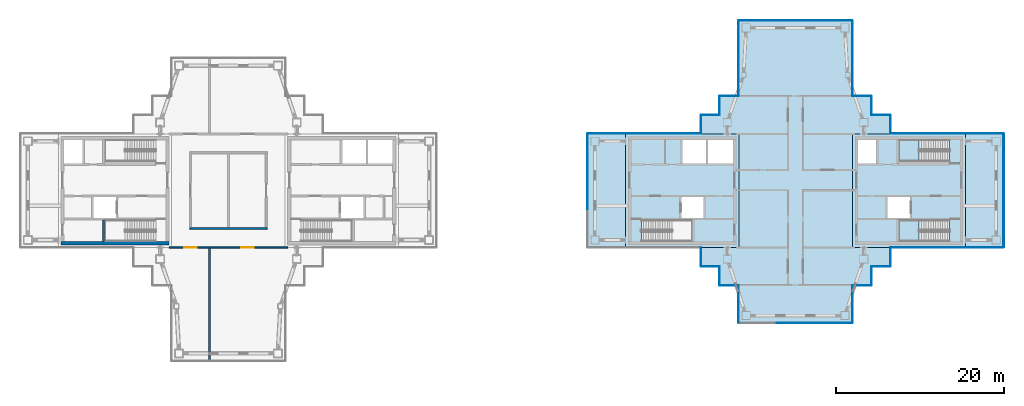
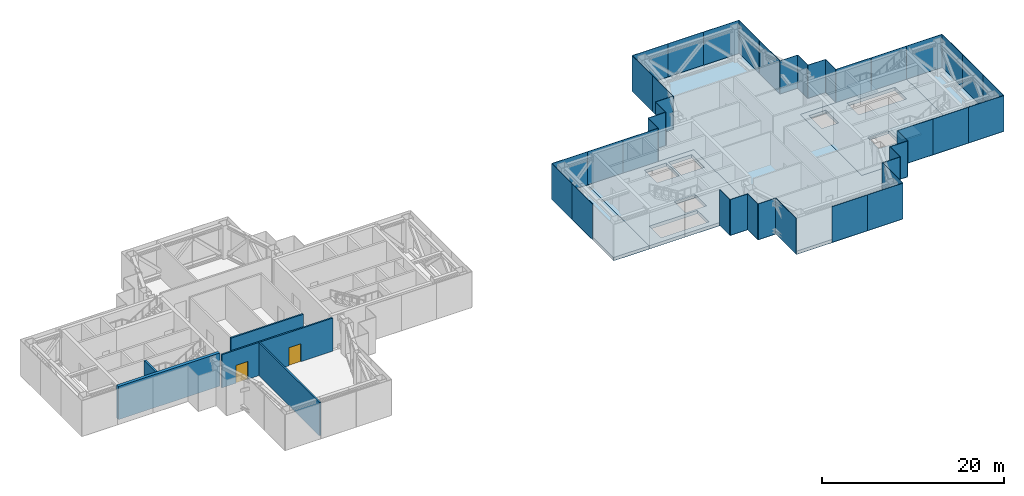
# One storey, part 6 of 18: 41 plates, 7 slabs, 5 walls, 2 doors, 2 openings, 20 elements without a shape of their own.
"""IFC4 building model written with IfcOpenShell, lengths in metres."""

from ifc_helpers import new_model, si_unit, direction, frame, frame_2d, origin, origin_2d, place, context, subcontext, project, spatial, polyline, rectangle, outline, extrude, material, layer, layer_set, type_object, element, fill, aggregate, save


model = new_model("IFC4")

# Units and contexts
model_context = context("Model", 3, precision=1e-05, world=origin(), true_north=direction((0.0, 1.0)))
body_context = subcontext(model_context, "Body", "Model", "MODEL_VIEW")
ifc_project = project(units=[si_unit("LENGTHUNIT", "METRE"), si_unit("AREAUNIT", "SQUARE_METRE"), si_unit("VOLUMEUNIT", "CUBIC_METRE"), si_unit("PLANEANGLEUNIT", "RADIAN"), si_unit("MASSUNIT", "GRAM", prefix="KILO")], contexts=[model_context])

# Site, building, storey
site_placement = place(None, origin())
site = spatial("IfcSite", under=ifc_project, at=site_placement, CompositionType="ELEMENT")
building_placement = place(site_placement, origin())
building = spatial("IfcBuilding", under=site, at=building_placement, Name="Shamsa Quay Exchange Towers", CompositionType="ELEMENT")
storey_placement = place(building_placement, frame((0.0, 0.0, 225.60009765625)))
storey = spatial("IfcBuildingStorey", under=building, at=storey_placement, Name="L54", CompositionType="ELEMENT", Elevation=225.60009765625)

# Slabs
ifc_material_1 = material(Name="Concrete C50/60", Category="concrete")
ifc_layer_1 = layer(ifc_material_1, 0.449951171875)
ifc_layer_set_1 = layer_set([ifc_layer_1], Name="CORE FLOOR 450 C50/60")
slab_type_1 = type_object("IfcSlabType", Name="CORE FLOOR 450 C50/60", PredefinedType="FLOOR", material=ifc_layer_set_1)
slab_1_placement = place(storey_placement, frame((0.0, 0.0, -0.4501953125)))
element("IfcSlab", 1, at=slab_1_placement, inside=storey, type_object=slab_type_1, Name="Core floor T2A", PredefinedType="FLOOR", context=body_context, shape_type="SweptSolid", body=[
    extrude(outline(polyline([(13.5, -6.75), (27.0, -6.75), (27.0, 6.75), (13.5, 6.75), (13.5, -6.75)]), holes=[polyline([(15.400634765625, -6.050048828125), (15.400634765625, -3.5), (21.5, -3.5), (21.5, -6.050048828125), (15.400634765625, -6.050048828125)]), polyline([(20.300048828125, 3.25), (20.300048828125, 6.050048828125), (23.10009765625, 6.050048828125), (23.10009765625, 3.25), (20.300048828125, 3.25)]), polyline([(23.35009765625, 3.25), (23.35009765625, 6.050048828125), (26.300048828125, 6.050048828125), (26.300048828125, 3.25), (23.35009765625, 3.25)]), polyline([(20.14990234375, -3.25), (20.14990234375, -0.75), (22.800048828125, -0.75), (22.800048828125, -3.25), (20.14990234375, -3.25)])]), origin(), (0.0, 0.0, 1.0), 0.4501953125),
])
slab_2_placement = place(storey_placement, frame((0.0, 0.0, -0.4501953125)))
element("IfcSlab", 2, at=slab_2_placement, inside=storey, type_object=slab_type_1, Name="Core floor T2B", PredefinedType="FLOOR", context=body_context, shape_type="SweptSolid", body=[
    extrude(outline(polyline([(54.0, -6.75), (54.0, 6.75), (40.5, 6.75), (40.5, -6.75), (54.0, -6.75)]), holes=[polyline([(52.099365234375, -3.5), (52.099365234375, -6.050048828125), (46.0, -6.050048828125), (46.0, -3.5), (52.099365234375, -3.5)]), polyline([(52.099365234375, 6.050048828125), (52.099365234375, 3.5), (46.0, 3.5), (46.0, 6.050048828125), (52.099365234375, 6.050048828125)]), polyline([(43.35009765625, 3.25), (41.199951171875, 3.25), (41.199951171875, 6.050048828125), (43.35009765625, 6.050048828125), (43.35009765625, 3.25)]), polyline([(47.35009765625, -3.25), (44.699951171875, -3.25), (44.699951171875, -0.75), (47.35009765625, -0.75), (47.35009765625, -3.25)])]), origin(), (0.0, 0.0, 1.0), 0.4501953125),
])

# Stair, slab
ifc_material_2 = material(Name="Concrete C40/50", Category="concrete")
stair_type = type_object("IfcStairType", Name="EXIT STAIR 28 RISERS 171 MM", PredefinedType="HALF_TURN_STAIR", material=ifc_material_2)
stair_1_placement = place(storey_placement, origin())
stair_1 = element("IfcStair", 3, at=stair_1_placement, inside=storey, type_object=stair_type, Name="L54 Exit stair ST5", PredefinedType="HALF_TURN_STAIR")
ifc_layer_2 = layer(ifc_material_2, 0.199951171875)
ifc_layer_set_2 = layer_set([ifc_layer_2], Name="CORE STAIR LANDING")
slab_type_2 = type_object("IfcSlabType", Name="CORE STAIR LANDING", PredefinedType="LANDING", material=ifc_layer_set_2)
slab_3_placement = place(storey_placement, frame((0.0, 0.0, 2.199951171875)))
slab_3 = element("IfcSlab", 4, at=slab_3_placement, type_object=slab_type_2, Name="ST5 landing 1", PredefinedType="LANDING", context=body_context, shape_type="SweptSolid", body=[
    extrude(outline(polyline([(48.4599609375, -3.5), (46.0, -3.5), (46.0, -6.050048828125), (48.4599609375, -6.050048828125), (48.4599609375, -3.5)])), origin(), (0.0, 0.0, 1.0), 0.199951171875),
])
aggregate(stair_1, [slab_3])

stair_2_placement = place(storey_placement, origin())
stair_2 = element("IfcStair", 5, at=stair_2_placement, inside=storey, type_object=stair_type, Name="L54 Exit stair ST6", PredefinedType="HALF_TURN_STAIR")
slab_4_placement = place(storey_placement, frame((0.0, 0.0, 2.199951171875)))
slab_4 = element("IfcSlab", 6, at=slab_4_placement, type_object=slab_type_2, Name="ST6 landing 1", PredefinedType="LANDING", context=body_context, shape_type="SweptSolid", body=[
    extrude(outline(polyline([(48.4599609375, 6.050048828125), (46.0, 6.050048828125), (46.0, 3.5), (48.4599609375, 3.5), (48.4599609375, 6.050048828125)])), origin(), (0.0, 0.0, 1.0), 0.199951171875),
])
aggregate(stair_2, [slab_4])

# Curtain wall, plates
ifc_material_3 = material(Name="Aluminium EN AW-6063 T6, black anodised", Category="aluminium")
ifc_layer_3 = layer(ifc_material_3, 0.320068359375)
ifc_layer_set_3 = layer_set([ifc_layer_3], Name="CW-7 BELT-LEVEL LOUVRE PANEL WALL")
curtain_wall_type = type_object("IfcCurtainWallType", Name="CW-7 BELT-LEVEL LOUVRE PANEL WALL", PredefinedType="NOTDEFINED", material=ifc_layer_set_3)
curtain_wall_1_placement = place(storey_placement, origin())
curtain_wall_1 = element("IfcCurtainWall", 7, at=curtain_wall_1_placement, inside=storey, type_object=curtain_wall_type, Name="CW7 T2-FLK-V-W L54", PredefinedType="NOTDEFINED")
ifc_material_4 = material(Name="Aluminium louvre panel, black anodised, with insulated fire-rated backing", Category="aluminium")
ifc_layer_4 = layer(ifc_material_4, 0.06005859375)
ifc_layer_set_4 = layer_set([ifc_layer_4], Name="CW-7 LOUVRE PANEL 60")
plate_type = type_object("IfcPlateType", Name="CW-7 LOUVRE PANEL 60", PredefinedType="CURTAIN_PANEL", material=ifc_layer_set_4)
plate_1_placement = place(storey_placement, frame((47.2939453125, -6.780029296875, -0.35009765625)))
plate_1 = element("IfcPlate", 8, at=plate_1_placement, type_object=plate_type, Name="CW7 glass panel", PredefinedType="CURTAIN_PANEL", context=body_context, shape_type="SweptSolid", body=[
    extrude(rectangle(XDim=4.464111328125, YDim=0.06005859375, at=origin_2d()), origin(), (0.0, 0.0, 1.0), 4.800048828125),
])
plate_2_placement = place(storey_placement, frame((51.76806640625, -6.780029296875, -0.35009765625)))
plate_2 = element("IfcPlate", 9, at=plate_2_placement, type_object=plate_type, Name="CW7 glass panel", PredefinedType="CURTAIN_PANEL", context=body_context, shape_type="SweptSolid", body=[
    extrude(rectangle(XDim=4.464111328125, YDim=0.06005859375, at=origin_2d()), origin(), (0.0, 0.0, 1.0), 4.800048828125),
])
aggregate(curtain_wall_1, [plate_1, plate_2])

# Curtain wall, plate
curtain_wall_2_placement = place(storey_placement, origin())
curtain_wall_2 = element("IfcCurtainWall", 10, at=curtain_wall_2_placement, inside=storey, type_object=curtain_wall_type, Name="CW7 T2-FLK-V-W L54", PredefinedType="NOTDEFINED")
plate_3_placement = place(storey_placement, frame((56.25, -6.780029296875, -0.35009765625)))
plate_3 = element("IfcPlate", 11, at=plate_3_placement, type_object=plate_type, Name="CW7 glass panel", PredefinedType="CURTAIN_PANEL", context=body_context, shape_type="SweptSolid", body=[
    extrude(rectangle(XDim=4.5, YDim=0.06005859375, at=origin_2d()), origin(), (0.0, 0.0, 1.0), 4.800048828125),
])
aggregate(curtain_wall_2, [plate_3])

# Curtain wall, plates
curtain_wall_3_placement = place(storey_placement, origin())
curtain_wall_3 = element("IfcCurtainWall", 12, at=curtain_wall_3_placement, inside=storey, type_object=curtain_wall_type, Name="CW7 T2-END-V- L54", PredefinedType="NOTDEFINED")
plate_4_placement = place(storey_placement, frame((58.530029296875, -4.50244140625, -0.35009765625), z_axis=(0.0, 0.0, 1.0), x_axis=(0.0, 1.0, 0.0)))
plate_4 = element("IfcPlate", 13, at=plate_4_placement, type_object=plate_type, Name="CW7 glass panel", PredefinedType="CURTAIN_PANEL", context=body_context, shape_type="SweptSolid", body=[
    extrude(rectangle(XDim=4.4951171875, YDim=0.06005859375, at=origin_2d()), origin(), (0.0, 0.0, 1.0), 4.800048828125),
])
plate_5_placement = place(storey_placement, frame((58.530029296875, 0.0, -0.35009765625), z_axis=(0.0, 0.0, 1.0), x_axis=(0.0, 1.0, 0.0)))
plate_5 = element("IfcPlate", 14, at=plate_5_placement, type_object=plate_type, Name="CW7 glass panel", PredefinedType="CURTAIN_PANEL", context=body_context, shape_type="SweptSolid", body=[
    extrude(rectangle(XDim=4.489990234375, YDim=0.06005859375, at=origin_2d()), origin(), (0.0, 0.0, 1.0), 4.800048828125),
])
plate_6_placement = place(storey_placement, frame((58.530029296875, 4.50244140625, -0.35009765625), z_axis=(0.0, 0.0, 1.0), x_axis=(0.0, 1.0, 0.0)))
plate_6 = element("IfcPlate", 15, at=plate_6_placement, type_object=plate_type, Name="CW7 glass panel", PredefinedType="CURTAIN_PANEL", context=body_context, shape_type="SweptSolid", body=[
    extrude(rectangle(XDim=4.4951171875, YDim=0.06005859375, at=origin_2d()), origin(), (0.0, 0.0, 1.0), 4.800048828125),
])
aggregate(curtain_wall_3, [plate_4, plate_5, plate_6])

# Curtain wall, plate
curtain_wall_4_placement = place(storey_placement, origin())
curtain_wall_4 = element("IfcCurtainWall", 16, at=curtain_wall_4_placement, inside=storey, type_object=curtain_wall_type, Name="CW7 T2-FLK-V-E L54", PredefinedType="NOTDEFINED")
plate_7_placement = place(storey_placement, frame((56.25, 6.780029296875, -0.35009765625), z_axis=(0.0, 0.0, 1.0), x_axis=(-1.0, 0.0, 0.0)))
plate_7 = element("IfcPlate", 17, at=plate_7_placement, type_object=plate_type, Name="CW7 glass panel", PredefinedType="CURTAIN_PANEL", context=body_context, shape_type="SweptSolid", body=[
    extrude(rectangle(XDim=4.5, YDim=0.06005859375, at=origin_2d()), origin(), (0.0, 0.0, 1.0), 4.800048828125),
])
aggregate(curtain_wall_4, [plate_7])

# Curtain wall, plates
curtain_wall_5_placement = place(storey_placement, origin())
curtain_wall_5 = element("IfcCurtainWall", 18, at=curtain_wall_5_placement, inside=storey, type_object=curtain_wall_type, Name="CW7 T2-FLK-V-E L54", PredefinedType="NOTDEFINED")
plate_8_placement = place(storey_placement, frame((51.75244140625, 6.780029296875, -0.35009765625), z_axis=(0.0, 0.0, 1.0), x_axis=(-1.0, 0.0, 0.0)))
plate_8 = element("IfcPlate", 19, at=plate_8_placement, type_object=plate_type, Name="CW7 glass panel", PredefinedType="CURTAIN_PANEL", context=body_context, shape_type="SweptSolid", body=[
    extrude(rectangle(XDim=4.4951171875, YDim=0.06005859375, at=origin_2d()), origin(), (0.0, 0.0, 1.0), 4.800048828125),
])
plate_9_placement = place(storey_placement, frame((47.24755859375, 6.780029296875, -0.35009765625), z_axis=(0.0, 0.0, 1.0), x_axis=(-1.0, 0.0, 0.0)))
plate_9 = element("IfcPlate", 20, at=plate_9_placement, type_object=plate_type, Name="CW7 glass panel", PredefinedType="CURTAIN_PANEL", context=body_context, shape_type="SweptSolid", body=[
    extrude(rectangle(XDim=4.4951171875, YDim=0.06005859375, at=origin_2d()), origin(), (0.0, 0.0, 1.0), 4.800048828125),
])
aggregate(curtain_wall_5, [plate_8, plate_9])

curtain_wall_6_placement = place(storey_placement, origin())
curtain_wall_6 = element("IfcCurtainWall", 21, at=curtain_wall_6_placement, inside=storey, type_object=curtain_wall_type, Name="CW7 T2-FLK-U+S L54", PredefinedType="NOTDEFINED")
plate_10_placement = place(storey_placement, frame((40.530029296875, 13.5439453125, -0.35009765625), z_axis=(0.0, 0.0, 1.0), x_axis=(0.0, 1.0, 0.0)))
plate_10 = element("IfcPlate", 22, at=plate_10_placement, type_object=plate_type, Name="CW7 glass panel", PredefinedType="CURTAIN_PANEL", context=body_context, shape_type="SweptSolid", body=[
    extrude(rectangle(XDim=4.464111328125, YDim=0.06005859375, at=origin_2d()), origin(), (0.0, 0.0, 1.0), 4.800048828125),
])
plate_11_placement = place(storey_placement, frame((40.530029296875, 18.01806640625, -0.35009765625), z_axis=(0.0, 0.0, 1.0), x_axis=(0.0, 1.0, 0.0)))
plate_11 = element("IfcPlate", 23, at=plate_11_placement, type_object=plate_type, Name="CW7 glass panel", PredefinedType="CURTAIN_PANEL", context=body_context, shape_type="SweptSolid", body=[
    extrude(rectangle(XDim=4.464111328125, YDim=0.06005859375, at=origin_2d()), origin(), (0.0, 0.0, 1.0), 4.800048828125),
])
aggregate(curtain_wall_6, [plate_10, plate_11])

curtain_wall_7_placement = place(storey_placement, origin())
curtain_wall_7 = element("IfcCurtainWall", 24, at=curtain_wall_7_placement, inside=storey, type_object=curtain_wall_type, Name="CW7 T2-END-U+ L54", PredefinedType="NOTDEFINED")
plate_12_placement = place(storey_placement, frame((38.25244140625, 20.280029296875, -0.35009765625), z_axis=(0.0, 0.0, 1.0), x_axis=(-1.0, 0.0, 0.0)))
plate_12 = element("IfcPlate", 25, at=plate_12_placement, type_object=plate_type, Name="CW7 glass panel", PredefinedType="CURTAIN_PANEL", context=body_context, shape_type="SweptSolid", body=[
    extrude(rectangle(XDim=4.4951171875, YDim=0.06005859375, at=origin_2d()), origin(), (0.0, 0.0, 1.0), 4.800048828125),
])
plate_13_placement = place(storey_placement, frame((33.75, 20.280029296875, -0.35009765625), z_axis=(0.0, 0.0, 1.0), x_axis=(-1.0, 0.0, 0.0)))
plate_13 = element("IfcPlate", 26, at=plate_13_placement, type_object=plate_type, Name="CW7 glass panel", PredefinedType="CURTAIN_PANEL", context=body_context, shape_type="SweptSolid", body=[
    extrude(rectangle(XDim=4.489990234375, YDim=0.06005859375, at=origin_2d()), origin(), (0.0, 0.0, 1.0), 4.800048828125),
])
plate_14_placement = place(storey_placement, frame((29.24755859375, 20.280029296875, -0.35009765625), z_axis=(0.0, 0.0, 1.0), x_axis=(-1.0, 0.0, 0.0)))
plate_14 = element("IfcPlate", 27, at=plate_14_placement, type_object=plate_type, Name="CW7 glass panel", PredefinedType="CURTAIN_PANEL", context=body_context, shape_type="SweptSolid", body=[
    extrude(rectangle(XDim=4.4951171875, YDim=0.06005859375, at=origin_2d()), origin(), (0.0, 0.0, 1.0), 4.800048828125),
])
aggregate(curtain_wall_7, [plate_12, plate_13, plate_14])

curtain_wall_8_placement = place(storey_placement, origin())
curtain_wall_8 = element("IfcCurtainWall", 28, at=curtain_wall_8_placement, inside=storey, type_object=curtain_wall_type, Name="CW7 T2-FLK-U+N L54", PredefinedType="NOTDEFINED")
plate_15_placement = place(storey_placement, frame((26.969970703125, 18.00244140625, -0.35009765625), z_axis=(0.0, 0.0, 1.0), x_axis=(0.0, -1.0, 0.0)))
plate_15 = element("IfcPlate", 29, at=plate_15_placement, type_object=plate_type, Name="CW7 glass panel", PredefinedType="CURTAIN_PANEL", context=body_context, shape_type="SweptSolid", body=[
    extrude(rectangle(XDim=4.4951171875, YDim=0.06005859375, at=origin_2d()), origin(), (0.0, 0.0, 1.0), 4.800048828125),
])
plate_16_placement = place(storey_placement, frame((26.969970703125, 13.49755859375, -0.35009765625), z_axis=(0.0, 0.0, 1.0), x_axis=(0.0, -1.0, 0.0)))
plate_16 = element("IfcPlate", 30, at=plate_16_placement, type_object=plate_type, Name="CW7 glass panel", PredefinedType="CURTAIN_PANEL", context=body_context, shape_type="SweptSolid", body=[
    extrude(rectangle(XDim=4.4951171875, YDim=0.06005859375, at=origin_2d()), origin(), (0.0, 0.0, 1.0), 4.800048828125),
])
aggregate(curtain_wall_8, [plate_15, plate_16])

curtain_wall_9_placement = place(storey_placement, origin())
curtain_wall_9 = element("IfcCurtainWall", 31, at=curtain_wall_9_placement, inside=storey, type_object=curtain_wall_type, Name="CW7 T2-FLK-V+E L54", PredefinedType="NOTDEFINED")
plate_17_placement = place(storey_placement, frame((20.2060546875, 6.780029296875, -0.35009765625), z_axis=(0.0, 0.0, 1.0), x_axis=(-1.0, 0.0, 0.0)))
plate_17 = element("IfcPlate", 32, at=plate_17_placement, type_object=plate_type, Name="CW7 glass panel", PredefinedType="CURTAIN_PANEL", context=body_context, shape_type="SweptSolid", body=[
    extrude(rectangle(XDim=4.464111328125, YDim=0.06005859375, at=origin_2d()), origin(), (0.0, 0.0, 1.0), 4.800048828125),
])
plate_18_placement = place(storey_placement, frame((15.73193359375, 6.780029296875, -0.35009765625), z_axis=(0.0, 0.0, 1.0), x_axis=(-1.0, 0.0, 0.0)))
plate_18 = element("IfcPlate", 33, at=plate_18_placement, type_object=plate_type, Name="CW7 glass panel", PredefinedType="CURTAIN_PANEL", context=body_context, shape_type="SweptSolid", body=[
    extrude(rectangle(XDim=4.464111328125, YDim=0.06005859375, at=origin_2d()), origin(), (0.0, 0.0, 1.0), 4.800048828125),
])
aggregate(curtain_wall_9, [plate_17, plate_18])

# Curtain wall, plate
curtain_wall_10_placement = place(storey_placement, origin())
curtain_wall_10 = element("IfcCurtainWall", 34, at=curtain_wall_10_placement, inside=storey, type_object=curtain_wall_type, Name="CW7 T2-FLK-V+E L54", PredefinedType="NOTDEFINED")
plate_19_placement = place(storey_placement, frame((11.25, 6.780029296875, -0.35009765625), z_axis=(0.0, 0.0, 1.0), x_axis=(-1.0, 0.0, 0.0)))
plate_19 = element("IfcPlate", 35, at=plate_19_placement, type_object=plate_type, Name="CW7 glass panel", PredefinedType="CURTAIN_PANEL", context=body_context, shape_type="SweptSolid", body=[
    extrude(rectangle(XDim=4.5, YDim=0.06005859375, at=origin_2d()), origin(), (0.0, 0.0, 1.0), 4.800048828125),
])
aggregate(curtain_wall_10, [plate_19])

# Curtain wall, plates
curtain_wall_11_placement = place(storey_placement, origin())
curtain_wall_11 = element("IfcCurtainWall", 36, at=curtain_wall_11_placement, inside=storey, type_object=curtain_wall_type, Name="CW7 T2-END-V+ L54", PredefinedType="NOTDEFINED")
plate_20_placement = place(storey_placement, frame((8.969970703125, 4.50244140625, -0.35009765625), z_axis=(0.0, 0.0, 1.0), x_axis=(0.0, -1.0, 0.0)))
plate_20 = element("IfcPlate", 37, at=plate_20_placement, type_object=plate_type, Name="CW7 glass panel", PredefinedType="CURTAIN_PANEL", context=body_context, shape_type="SweptSolid", body=[
    extrude(rectangle(XDim=4.4951171875, YDim=0.06005859375, at=origin_2d()), origin(), (0.0, 0.0, 1.0), 4.800048828125),
])
plate_21_placement = place(storey_placement, frame((8.969970703125, 0.0, -0.35009765625), z_axis=(0.0, 0.0, 1.0), x_axis=(0.0, -1.0, 0.0)))
plate_21 = element("IfcPlate", 38, at=plate_21_placement, type_object=plate_type, Name="CW7 glass panel", PredefinedType="CURTAIN_PANEL", context=body_context, shape_type="SweptSolid", body=[
    extrude(rectangle(XDim=4.489990234375, YDim=0.06005859375, at=origin_2d()), origin(), (0.0, 0.0, 1.0), 4.800048828125),
])
aggregate(curtain_wall_11, [plate_20, plate_21])

# Curtain wall, plate
curtain_wall_12_placement = place(storey_placement, origin())
curtain_wall_12 = element("IfcCurtainWall", 39, at=curtain_wall_12_placement, inside=storey, type_object=curtain_wall_type, Name="CW7 T2-FLK-U-N L54", PredefinedType="NOTDEFINED")
plate_22_placement = place(storey_placement, frame((26.969970703125, -13.531005859375, -0.35009765625), z_axis=(0.0, 0.0, 1.0), x_axis=(0.0, -1.0, 0.0)))
plate_22 = element("IfcPlate", 40, at=plate_22_placement, type_object=plate_type, Name="CW7 glass panel", PredefinedType="CURTAIN_PANEL", context=body_context, shape_type="SweptSolid", body=[
    extrude(rectangle(XDim=4.43798828125, YDim=0.06005859375, at=origin_2d()), origin(), (0.0, 0.0, 1.0), 4.800048828125),
])
aggregate(curtain_wall_12, [plate_22])

# Curtain wall, plates
curtain_wall_13_placement = place(storey_placement, origin())
curtain_wall_13 = element("IfcCurtainWall", 41, at=curtain_wall_13_placement, inside=storey, type_object=curtain_wall_type, Name="CW7 T2-END-U- L54", PredefinedType="NOTDEFINED")
plate_23_placement = place(storey_placement, frame((33.75, -15.780029296875, -0.35009765625)))
plate_23 = element("IfcPlate", 42, at=plate_23_placement, type_object=plate_type, Name="CW7 glass panel", PredefinedType="CURTAIN_PANEL", context=body_context, shape_type="SweptSolid", body=[
    extrude(rectangle(XDim=4.489990234375, YDim=0.06005859375, at=origin_2d()), origin(), (0.0, 0.0, 1.0), 4.800048828125),
])
plate_24_placement = place(storey_placement, frame((38.25244140625, -15.780029296875, -0.35009765625)))
plate_24 = element("IfcPlate", 43, at=plate_24_placement, type_object=plate_type, Name="CW7 glass panel", PredefinedType="CURTAIN_PANEL", context=body_context, shape_type="SweptSolid", body=[
    extrude(rectangle(XDim=4.4951171875, YDim=0.06005859375, at=origin_2d()), origin(), (0.0, 0.0, 1.0), 4.800048828125),
])
aggregate(curtain_wall_13, [plate_23, plate_24])

# Curtain wall, plate
curtain_wall_14_placement = place(storey_placement, origin())
curtain_wall_14 = element("IfcCurtainWall", 44, at=curtain_wall_14_placement, inside=storey, type_object=curtain_wall_type, Name="CW7 T2-FLK-U-S L54", PredefinedType="NOTDEFINED")
plate_25_placement = place(storey_placement, frame((40.530029296875, -13.5, -0.35009765625), z_axis=(0.0, 0.0, 1.0), x_axis=(0.0, 1.0, 0.0)))
plate_25 = element("IfcPlate", 45, at=plate_25_placement, type_object=plate_type, Name="CW7 glass panel", PredefinedType="CURTAIN_PANEL", context=body_context, shape_type="SweptSolid", body=[
    extrude(rectangle(XDim=4.5, YDim=0.06005859375, at=origin_2d()), origin(), (0.0, 0.0, 1.0), 4.800048828125),
])
aggregate(curtain_wall_14, [plate_25])

# Curtain wall, plates
curtain_wall_15_placement = place(storey_placement, origin())
curtain_wall_15 = element("IfcCurtainWall", 46, at=curtain_wall_15_placement, inside=storey, type_object=curtain_wall_type, Name="CW7 PKWS L54", PredefinedType="NOTDEFINED")
plate_26_placement = place(storey_placement, frame((43.906005859375, -9.030029296875, -0.35009765625)))
plate_26 = element("IfcPlate", 47, at=plate_26_placement, type_object=plate_type, Name="CW7 glass panel", PredefinedType="CURTAIN_PANEL", context=body_context, shape_type="SweptSolid", body=[
    extrude(rectangle(XDim=2.18798828125, YDim=0.06005859375, at=origin_2d()), origin(), (0.0, 0.0, 1.0), 4.800048828125),
])
plate_27_placement = place(storey_placement, frame((45.030029296875, -7.875, -0.35009765625), z_axis=(0.0, 0.0, 1.0), x_axis=(0.0, 1.0, 0.0)))
plate_27 = element("IfcPlate", 48, at=plate_27_placement, type_object=plate_type, Name="CW7 glass panel", PredefinedType="CURTAIN_PANEL", context=body_context, shape_type="SweptSolid", body=[
    extrude(rectangle(XDim=2.25, YDim=0.06005859375, at=origin_2d()), origin(), (0.0, 0.0, 1.0), 4.800048828125),
])
plate_28_placement = place(storey_placement, frame((41.656005859375, -11.280029296875, -0.35009765625)))
plate_28 = element("IfcPlate", 49, at=plate_28_placement, type_object=plate_type, Name="CW7 glass panel", PredefinedType="CURTAIN_PANEL", context=body_context, shape_type="SweptSolid", body=[
    extrude(rectangle(XDim=2.18798828125, YDim=0.06005859375, at=origin_2d()), origin(), (0.0, 0.0, 1.0), 4.800048828125),
])
plate_29_placement = place(storey_placement, frame((42.780029296875, -10.125, -0.35009765625), z_axis=(0.0, 0.0, 1.0), x_axis=(0.0, 1.0, 0.0)))
plate_29 = element("IfcPlate", 50, at=plate_29_placement, type_object=plate_type, Name="CW7 glass panel", PredefinedType="CURTAIN_PANEL", context=body_context, shape_type="SweptSolid", body=[
    extrude(rectangle(XDim=2.25, YDim=0.06005859375, at=origin_2d()), origin(), (0.0, 0.0, 1.0), 4.800048828125),
])
aggregate(curtain_wall_15, [plate_26, plate_27, plate_28, plate_29])

curtain_wall_16_placement = place(storey_placement, origin())
curtain_wall_16 = element("IfcCurtainWall", 51, at=curtain_wall_16_placement, inside=storey, type_object=curtain_wall_type, Name="CW7 PKES L54", PredefinedType="NOTDEFINED")
plate_30_placement = place(storey_placement, frame((45.030029296875, 7.906005859375, -0.35009765625), z_axis=(0.0, 0.0, 1.0), x_axis=(0.0, 1.0, 0.0)))
plate_30 = element("IfcPlate", 52, at=plate_30_placement, type_object=plate_type, Name="CW7 glass panel", PredefinedType="CURTAIN_PANEL", context=body_context, shape_type="SweptSolid", body=[
    extrude(rectangle(XDim=2.18798828125, YDim=0.06005859375, at=origin_2d()), origin(), (0.0, 0.0, 1.0), 4.800048828125),
])
plate_31_placement = place(storey_placement, frame((43.875, 9.030029296875, -0.35009765625), z_axis=(0.0, 0.0, 1.0), x_axis=(-1.0, 0.0, 0.0)))
plate_31 = element("IfcPlate", 53, at=plate_31_placement, type_object=plate_type, Name="CW7 glass panel", PredefinedType="CURTAIN_PANEL", context=body_context, shape_type="SweptSolid", body=[
    extrude(rectangle(XDim=2.25, YDim=0.06005859375, at=origin_2d()), origin(), (0.0, 0.0, 1.0), 4.800048828125),
])
plate_32_placement = place(storey_placement, frame((42.780029296875, 10.156005859375, -0.35009765625), z_axis=(0.0, 0.0, 1.0), x_axis=(0.0, 1.0, 0.0)))
plate_32 = element("IfcPlate", 54, at=plate_32_placement, type_object=plate_type, Name="CW7 glass panel", PredefinedType="CURTAIN_PANEL", context=body_context, shape_type="SweptSolid", body=[
    extrude(rectangle(XDim=2.18798828125, YDim=0.06005859375, at=origin_2d()), origin(), (0.0, 0.0, 1.0), 4.800048828125),
])
plate_33_placement = place(storey_placement, frame((41.625, 11.280029296875, -0.35009765625), z_axis=(0.0, 0.0, 1.0), x_axis=(-1.0, 0.0, 0.0)))
plate_33 = element("IfcPlate", 55, at=plate_33_placement, type_object=plate_type, Name="CW7 glass panel", PredefinedType="CURTAIN_PANEL", context=body_context, shape_type="SweptSolid", body=[
    extrude(rectangle(XDim=2.25, YDim=0.06005859375, at=origin_2d()), origin(), (0.0, 0.0, 1.0), 4.800048828125),
])
aggregate(curtain_wall_16, [plate_30, plate_31, plate_32, plate_33])

curtain_wall_17_placement = place(storey_placement, origin())
curtain_wall_17 = element("IfcCurtainWall", 56, at=curtain_wall_17_placement, inside=storey, type_object=curtain_wall_type, Name="CW7 PKEN L54", PredefinedType="NOTDEFINED")
plate_34_placement = place(storey_placement, frame((25.843994140625, 11.280029296875, -0.35009765625), z_axis=(0.0, 0.0, 1.0), x_axis=(-1.0, 0.0, 0.0)))
plate_34 = element("IfcPlate", 57, at=plate_34_placement, type_object=plate_type, Name="CW7 glass panel", PredefinedType="CURTAIN_PANEL", context=body_context, shape_type="SweptSolid", body=[
    extrude(rectangle(XDim=2.18798828125, YDim=0.06005859375, at=origin_2d()), origin(), (0.0, 0.0, 1.0), 4.800048828125),
])
plate_35_placement = place(storey_placement, frame((24.719970703125, 10.125, -0.35009765625), z_axis=(0.0, 0.0, 1.0), x_axis=(0.0, -1.0, 0.0)))
plate_35 = element("IfcPlate", 58, at=plate_35_placement, type_object=plate_type, Name="CW7 glass panel", PredefinedType="CURTAIN_PANEL", context=body_context, shape_type="SweptSolid", body=[
    extrude(rectangle(XDim=2.25, YDim=0.06005859375, at=origin_2d()), origin(), (0.0, 0.0, 1.0), 4.800048828125),
])
plate_36_placement = place(storey_placement, frame((23.593994140625, 9.030029296875, -0.35009765625), z_axis=(0.0, 0.0, 1.0), x_axis=(-1.0, 0.0, 0.0)))
plate_36 = element("IfcPlate", 59, at=plate_36_placement, type_object=plate_type, Name="CW7 glass panel", PredefinedType="CURTAIN_PANEL", context=body_context, shape_type="SweptSolid", body=[
    extrude(rectangle(XDim=2.18798828125, YDim=0.06005859375, at=origin_2d()), origin(), (0.0, 0.0, 1.0), 4.800048828125),
])
plate_37_placement = place(storey_placement, frame((22.469970703125, 7.875, -0.35009765625), z_axis=(0.0, 0.0, 1.0), x_axis=(0.0, -1.0, 0.0)))
plate_37 = element("IfcPlate", 60, at=plate_37_placement, type_object=plate_type, Name="CW7 glass panel", PredefinedType="CURTAIN_PANEL", context=body_context, shape_type="SweptSolid", body=[
    extrude(rectangle(XDim=2.25, YDim=0.06005859375, at=origin_2d()), origin(), (0.0, 0.0, 1.0), 4.800048828125),
])
aggregate(curtain_wall_17, [plate_34, plate_35, plate_36, plate_37])

curtain_wall_18_placement = place(storey_placement, origin())
curtain_wall_18 = element("IfcCurtainWall", 61, at=curtain_wall_18_placement, inside=storey, type_object=curtain_wall_type, Name="CW7 PKWN L54", PredefinedType="NOTDEFINED")
plate_38_placement = place(storey_placement, frame((22.469970703125, -7.906005859375, -0.35009765625), z_axis=(0.0, 0.0, 1.0), x_axis=(0.0, -1.0, 0.0)))
plate_38 = element("IfcPlate", 62, at=plate_38_placement, type_object=plate_type, Name="CW7 glass panel", PredefinedType="CURTAIN_PANEL", context=body_context, shape_type="SweptSolid", body=[
    extrude(rectangle(XDim=2.18798828125, YDim=0.06005859375, at=origin_2d()), origin(), (0.0, 0.0, 1.0), 4.800048828125),
])
plate_39_placement = place(storey_placement, frame((23.625, -9.030029296875, -0.35009765625)))
plate_39 = element("IfcPlate", 63, at=plate_39_placement, type_object=plate_type, Name="CW7 glass panel", PredefinedType="CURTAIN_PANEL", context=body_context, shape_type="SweptSolid", body=[
    extrude(rectangle(XDim=2.25, YDim=0.06005859375, at=origin_2d()), origin(), (0.0, 0.0, 1.0), 4.800048828125),
])
plate_40_placement = place(storey_placement, frame((24.719970703125, -10.156005859375, -0.35009765625), z_axis=(0.0, 0.0, 1.0), x_axis=(0.0, -1.0, 0.0)))
plate_40 = element("IfcPlate", 64, at=plate_40_placement, type_object=plate_type, Name="CW7 glass panel", PredefinedType="CURTAIN_PANEL", context=body_context, shape_type="SweptSolid", body=[
    extrude(rectangle(XDim=2.18798828125, YDim=0.06005859375, at=origin_2d()), origin(), (0.0, 0.0, 1.0), 4.800048828125),
])
plate_41_placement = place(storey_placement, frame((25.875, -11.280029296875, -0.35009765625)))
plate_41 = element("IfcPlate", 65, at=plate_41_placement, type_object=plate_type, Name="CW7 glass panel", PredefinedType="CURTAIN_PANEL", context=body_context, shape_type="SweptSolid", body=[
    extrude(rectangle(XDim=2.25, YDim=0.06005859375, at=origin_2d()), origin(), (0.0, 0.0, 1.0), 4.800048828125),
])
aggregate(curtain_wall_18, [plate_38, plate_39, plate_40, plate_41])

# Slabs
ifc_layer_5 = layer(ifc_material_2, 0.449951171875)
ifc_layer_set_5 = layer_set([ifc_layer_5], Name="Flat slab 450")
slab_type_3 = type_object("IfcSlabType", Name="Flat slab 450", PredefinedType="FLOOR", material=ifc_layer_set_5)
slab_5_placement = place(storey_placement, frame((0.0, 0.0, -0.4501953125)))
element("IfcSlab", 66, at=slab_5_placement, inside=storey, type_object=slab_type_3, Name="Flat slab T2 L54 4", PredefinedType="FLOOR", context=body_context, shape_type="SweptSolid", body=[
    extrude(outline(polyline([(9.0, -6.75), (13.5, -6.75), (13.5, 6.75), (9.0, 6.75), (9.0, -6.75)])), origin(), (0.0, 0.0, 1.0), 0.4501953125),
])
slab_6_placement = place(storey_placement, frame((0.0, 0.0, -0.4501953125)))
element("IfcSlab", 67, at=slab_6_placement, inside=storey, type_object=slab_type_3, Name="Flat slab T2 L54 5", PredefinedType="FLOOR", context=body_context, shape_type="SweptSolid", body=[
    extrude(outline(polyline([(45.0, -9.0), (45.0, -6.75), (40.5, -6.75), (40.5, 6.75), (45.0, 6.75), (45.0, 9.0), (42.75, 9.0), (42.75, 11.25), (40.5, 11.25), (40.5, 20.25), (27.0, 20.25), (27.0, 11.25), (24.75, 11.25), (24.75, 9.0), (22.5, 9.0), (22.5, 6.75), (27.0, 6.75), (27.0, -6.75), (22.5, -6.75), (22.5, -9.0), (24.75, -9.0), (24.75, -11.25), (27.0, -11.25), (27.0, -15.75), (40.5, -15.75), (40.5, -11.25), (42.75, -11.25), (42.75, -9.0), (45.0, -9.0)])), origin(), (0.0, 0.0, 1.0), 0.4501953125),
])
slab_7_placement = place(storey_placement, frame((0.0, 0.0, -0.4501953125)))
element("IfcSlab", 68, at=slab_7_placement, inside=storey, type_object=slab_type_3, Name="Flat slab T2 L54 6", PredefinedType="FLOOR", context=body_context, shape_type="SweptSolid", body=[
    extrude(outline(polyline([(58.5, 6.75), (54.0, 6.75), (54.0, -6.75), (58.5, -6.75), (58.5, 6.75)])), origin(), (0.0, 0.0, 1.0), 0.4501953125),
])

# Walls
ifc_material_5 = material(Name="Concrete C60/75", Category="concrete")
ifc_layer_6 = layer(ifc_material_5, 0.39990234375)
ifc_layer_set_6 = layer_set([ifc_layer_6], Name="CORE WALL 400 C60/75")
wall_type_1 = type_object("IfcWallType", Name="CORE WALL 400 C60/75", PredefinedType="SHEAR", material=ifc_layer_set_6)
wall_1_placement = place(storey_placement, frame((-40.800048828125, -6.25, 0.0), z_axis=(0.0, 0.0, 1.0), x_axis=(-1.0, 0.0, 0.0)))
element("IfcWall", 69, at=wall_1_placement, inside=storey, type_object=wall_type_1, Name="Core wall T1B-L54-PS", PredefinedType="SHEAR", context=body_context, shape_type="SweptSolid", body=[
    extrude(rectangle(XDim=12.89990234375, YDim=0.39990234375, at=frame_2d((6.449951171875, 0.0))), origin(), (0.0, 0.0, 1.0), 4.449951171875),
])
ifc_material_6 = material(Name="Gypsum board partition on metal studs")
ifc_layer_7 = layer(ifc_material_6, 0.199951171875)
ifc_layer_set_7 = layer_set([ifc_layer_7], Name="Partition 200 mm EI 120")
wall_type_2 = type_object("IfcWallType", Name="Partition 200 mm EI 120", PredefinedType="PARTITIONING", material=ifc_layer_set_7)
wall_2_placement = place(storey_placement, frame((-38.35009765625, -4.5, 0.0)))
element("IfcWall", 70, at=wall_2_placement, inside=storey, type_object=wall_type_2, Name="Partition T1-L54-W02", PredefinedType="PARTITIONING", context=body_context, shape_type="SweptSolid", body=[
    extrude(rectangle(XDim=9.2001953125, YDim=0.199951171875, at=frame_2d((4.60009765625, 0.0))), origin(), (0.0, 0.0, 1.0), 4.449951171875),
])

# Wall, openings, doors
wall_3_placement = place(storey_placement, frame((-26.699951171875, -6.75, 0.0), z_axis=(0.0, 0.0, 1.0), x_axis=(-1.0, 0.0, 0.0)))
wall_3 = element("IfcWall", 71, at=wall_3_placement, inside=storey, type_object=wall_type_2, Name="Partition T1-L54-W06", PredefinedType="PARTITIONING", context=body_context, shape_type="SweptSolid", body=[
    extrude(rectangle(XDim=14.10009765625, YDim=0.199951171875, at=frame_2d((7.050048828125, 0.0))), origin(), (0.0, 0.0, 1.0), 4.449951171875),
])
opening_1_placement = place(wall_3_placement, frame((4.050048828125, 0.0, 0.0)))
opening_1 = element("IfcOpeningElement", 72, at=opening_1_placement, cuts=wall_3, Name="Opening T1-L54-D05", PredefinedType="OPENING", context=body_context, shape_type="SweptSolid", body=[
    extrude(rectangle(XDim=1.5, YDim=2.39990234375, at=frame_2d((0.75, 1.199951171875))), frame((0.0, 0.10986328125, 0.0), z_axis=(0.0, -1.0, 0.0), x_axis=(1.0, 0.0, 0.0)), (0.0, 0.0, 1.0), 0.219970703125),
])
opening_2_placement = place(wall_3_placement, frame((10.800048828125, 0.0, 0.0)))
opening_2 = element("IfcOpeningElement", 73, at=opening_2_placement, cuts=wall_3, Name="Opening T1-L54-D06", PredefinedType="OPENING", context=body_context, shape_type="SweptSolid", body=[
    extrude(rectangle(XDim=1.5, YDim=2.39990234375, at=frame_2d((0.75, 1.199951171875))), frame((0.0, 0.10986328125, 0.0), z_axis=(0.0, -1.0, 0.0), x_axis=(1.0, 0.0, 0.0)), (0.0, 0.0, 1.0), 0.219970703125),
])
ifc_material_7 = material(Name="Timber door leaf in a metal frame", Category="wood")
door_type = type_object("IfcDoorType", Name="Door 1500x2400 FD60 pair", OperationType="NOTDEFINED", PredefinedType="DOOR", material=ifc_material_7)
door_1_placement = place(opening_1_placement, origin())
door_1 = element("IfcDoor", 74, at=door_1_placement, inside=storey, type_object=door_type, Name="Door T1-L54-D05", OperationType="DOUBLE_DOOR_SINGLE_SWING", OverallHeight=2.39990234375, OverallWidth=1.5, PredefinedType="DOOR", context=body_context, shape_type="SweptSolid", body=[
    extrude(rectangle(XDim=1.5, YDim=2.39990234375, at=frame_2d((0.75, 1.199951171875))), frame((0.0, 0.02490234375, 0.0), z_axis=(0.0, -1.0, 0.0), x_axis=(1.0, 0.0, 0.0)), (0.0, 0.0, 1.0), 0.050048828125),
])
fill(opening_1, door_1)
door_2_placement = place(opening_2_placement, origin())
door_2 = element("IfcDoor", 75, at=door_2_placement, inside=storey, type_object=door_type, Name="Door T1-L54-D06", OperationType="DOUBLE_DOOR_SINGLE_SWING", OverallHeight=2.39990234375, OverallWidth=1.5, PredefinedType="DOOR", context=body_context, shape_type="SweptSolid", body=[
    extrude(rectangle(XDim=1.5, YDim=2.39990234375, at=frame_2d((0.75, 1.199951171875))), frame((0.0, 0.02490234375, 0.0), z_axis=(0.0, -1.0, 0.0), x_axis=(1.0, 0.0, 0.0)), (0.0, 0.0, 1.0), 0.050048828125),
])
fill(opening_2, door_2)

# Walls
wall_4_placement = place(storey_placement, frame((-36.0, -20.155029296875, 0.0), z_axis=(0.0, 0.0, 1.0), x_axis=(0.0, 1.0, 0.0)))
element("IfcWall", 76, at=wall_4_placement, inside=storey, type_object=wall_type_2, Name="Partition T1-L54-W08", PredefinedType="PARTITIONING", context=body_context, shape_type="SweptSolid", body=[
    extrude(rectangle(XDim=13.304931640625, YDim=0.199951171875, at=frame_2d((6.65234375, 0.0))), origin(), (0.0, 0.0, 1.0), 4.449951171875),
])
ifc_layer_8 = layer(ifc_material_1, 0.25)
ifc_layer_set_8 = layer_set([ifc_layer_8], Name="SHAFT WALL 250 C50/60")
wall_type_3 = type_object("IfcWallType", Name="SHAFT WALL 250 C50/60", PredefinedType="SHEAR", material=ifc_layer_set_8)
wall_5_placement = place(storey_placement, frame((-48.625, -6.050048828125, 0.0), z_axis=(0.0, 0.0, 1.0), x_axis=(0.0, 1.0, 0.0)))
element("IfcWall", 77, at=wall_5_placement, inside=storey, type_object=wall_type_3, Name="Shaft wall T1B-L54-STF", PredefinedType="SHEAR", context=body_context, shape_type="SweptSolid", body=[
    extrude(rectangle(XDim=2.550048828125, YDim=0.25, at=frame_2d((1.27490234375, 0.0))), origin(), (0.0, 0.0, 1.0), 4.449951171875),
])

save(model, "model.ifc")
